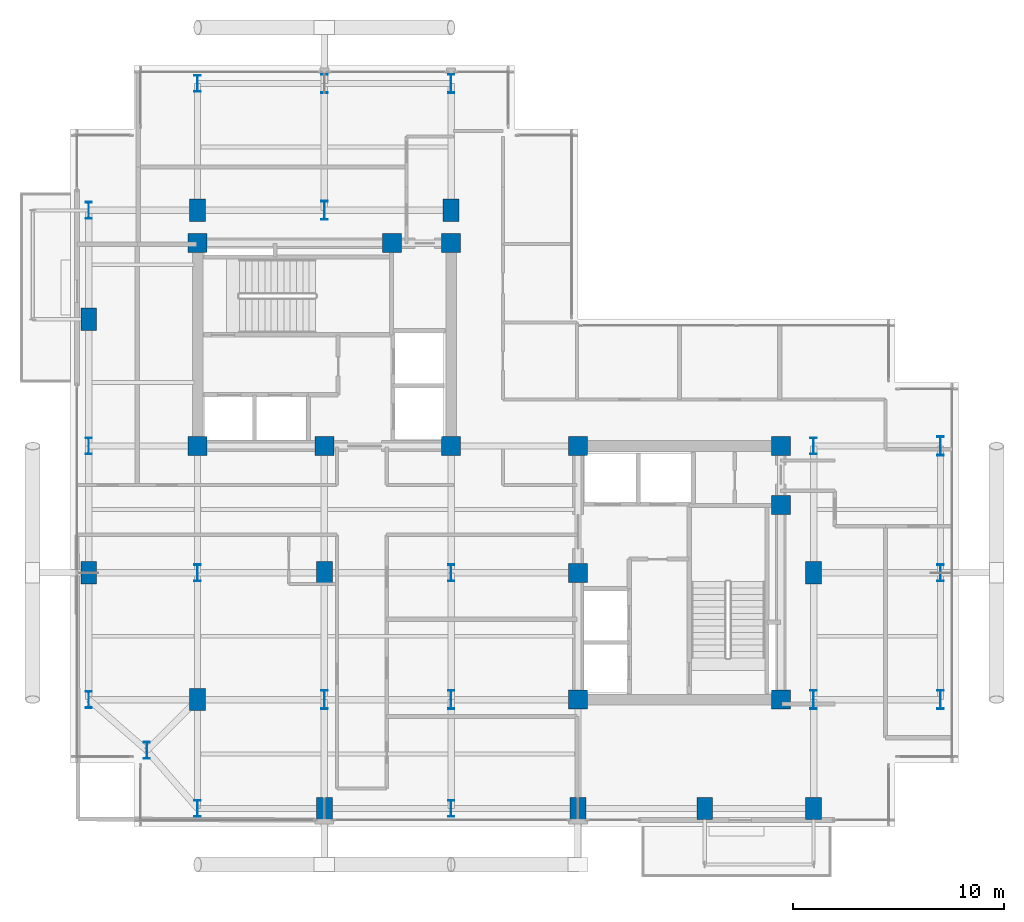
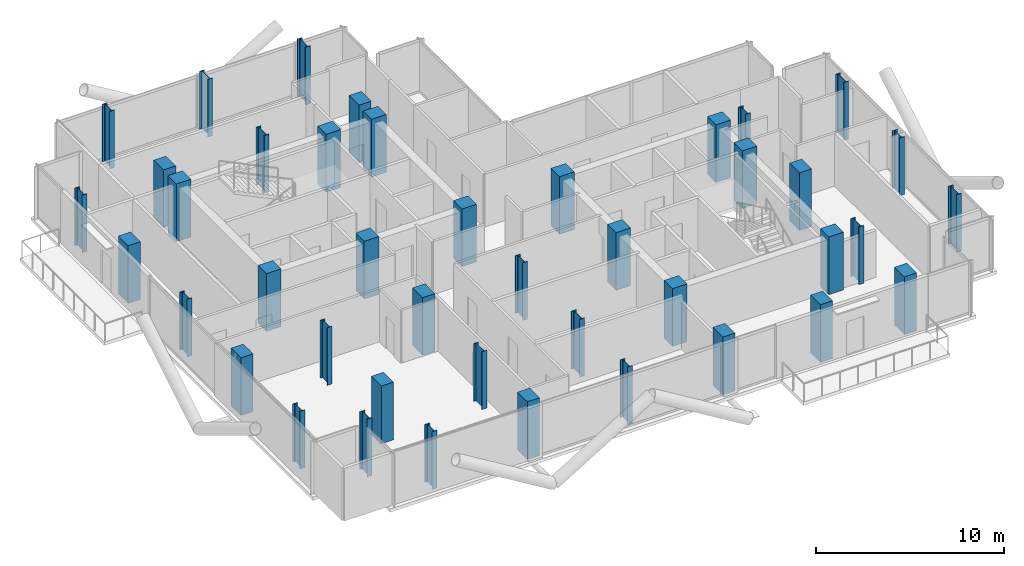
# One storey, part 1 of 25: 42 columns.
"""IFC4 building model written with IfcOpenShell, lengths in metres."""

from ifc_helpers import new_model, si_unit, direction, frame, origin, origin_2d, place, context, subcontext, project, spatial, rectangle, i_section, extrude, material, material_profile, profile_set, type_object, element, save


model = new_model("IFC4")

# Units and contexts
model_context = context("Model", 3, precision=1e-05, world=origin(), true_north=direction((0.0, 1.0)))
body_context = subcontext(model_context, "Body", "Model", "MODEL_VIEW")
ifc_project = project(units=[si_unit("LENGTHUNIT", "METRE"), si_unit("AREAUNIT", "SQUARE_METRE"), si_unit("VOLUMEUNIT", "CUBIC_METRE"), si_unit("PLANEANGLEUNIT", "RADIAN"), si_unit("MASSUNIT", "GRAM", prefix="KILO"), si_unit("THERMODYNAMICTEMPERATUREUNIT", "KELVIN"), si_unit("POWERUNIT", "WATT")], contexts=[model_context])

# Site, building, storey
site_placement = place(None, origin())
site = spatial("IfcSite", under=ifc_project, at=site_placement, CompositionType="ELEMENT")
building_placement = place(site_placement, origin())
building = spatial("IfcBuilding", under=site, at=building_placement, Name="Svarakhadi Broadcast Tower", CompositionType="ELEMENT")
storey_placement = place(building_placement, frame((0.0, 0.0, 231.14990234375)))
storey = spatial("IfcBuildingStorey", under=building, at=storey_placement, Name="L57", CompositionType="ELEMENT", Elevation=231.14990234375)

# Columns
ifc_material_1 = material(Name="Concrete C50/60 (IS 456 M60)", Category="concrete")
ifc_material_profile_1 = material_profile(ifc_material_1, rectangle(XDim=0.75, YDim=1.050048828125, at=origin_2d()), Name="RC 750x1050")
ifc_profile_set_1 = profile_set([ifc_material_profile_1], Name="Concrete C50/60 (IS 456 M60)")
column_type_1 = type_object("IfcColumnType", Name="Col_RC750", PredefinedType="COLUMN", material=ifc_profile_set_1)
for number, where, z_axis, x_axis, name in (
    (1, (0.85009765625, 12.0, 0.0), (0.0, 0.0, 1.0), (1.0, 0.0, 0.0), "L57 Column G04"),
    (2, (0.85009765625, 24.0, 0.0), (0.0, 0.0, 1.0), (1.0, 0.0, 0.0), "L57 Column G06"),
    (3, (6.0, 6.0, 0.0), (0.0, 0.0, 1.0), (1.0, 0.0, 0.0), "L57 Column G12"),
    (4, (6.0, 29.14990234375, 0.0), (0.0, 0.0, 1.0), (1.0, 0.0, 0.0), "L57 Column G14"),
    (5, (12.0, 0.85009765625, 0.0), (0.0, 0.0, 1.0), (1.0, 0.0, 0.0), "L57 Column G18"),
    (6, (12.0, 12.0, 0.0), (0.0, 0.0, 1.0), (1.0, 0.0, 0.0), "L57 Column G20"),
    (7, (18.0, 29.14990234375, 0.0), (0.0, 0.0, 1.0), (1.0, 0.0, 0.0), "L57 Column G28"),
    (8, (24.0, 0.85009765625, 0.0), (0.0, 0.0, 1.0), (1.0, 0.0, 0.0), "L57 Column G32"),
    (9, (30.0, 0.85009765625, 0.0), (0.0, 0.0, 1.0), (1.0, 0.0, 0.0), "L57 Column G36"),
    (10, (35.14990234375, 0.85009765625, 0.0), (0.0, 0.0, 1.0), (1.0, 0.0, 0.0), "L57 Column G38"),
    (11, (35.14990234375, 12.0, 0.0), (0.0, 0.0, 1.0), (1.0, 0.0, 0.0), "L57 Column G40"),
):
    element("IfcColumn", number, at=place(storey_placement, frame(where, z_axis=z_axis, x_axis=x_axis)), inside=storey, type_object=column_type_1, Name=name, PredefinedType="COLUMN", context=body_context, shape_type="SweptSolid", body=[
        extrude(rectangle(XDim=0.75, YDim=1.050048828125, at=origin_2d()), origin(), (0.0, 0.0, 1.0), 3.75),
    ])
ifc_material_profile_2 = material_profile(ifc_material_1, rectangle(XDim=0.89990234375, YDim=0.89990234375, at=origin_2d()), Name="RC 900x900")
ifc_profile_set_2 = profile_set([ifc_material_profile_2], Name="Concrete C50/60 (IS 456 M60)")
column_type_2 = type_object("IfcColumnType", Name="Col_RC900", PredefinedType="COLUMN", material=ifc_profile_set_2)
for number, where, z_axis, x_axis, name in (
    (12, (6.0, 18.0, 0.0), (0.0, 0.0, 1.0), (1.0, 0.0, 0.0), "L57 Column CW1"),
    (13, (12.0, 18.0, 0.0), (0.0, 0.0, 1.0), (1.0, 0.0, 0.0), "L57 Column CW2"),
    (14, (18.0, 18.0, 0.0), (0.0, 0.0, 1.0), (1.0, 0.0, 0.0), "L57 Column CW3"),
    (15, (6.0, 27.60009765625, 0.0), (0.0, 0.0, 1.0), (1.0, 0.0, 0.0), "L57 Column CW4"),
    (16, (15.199951171875, 27.60009765625, 0.0), (0.0, 0.0, 1.0), (1.0, 0.0, 0.0), "L57 Column CW5"),
    (17, (18.0, 27.60009765625, 0.0), (0.0, 0.0, 1.0), (1.0, 0.0, 0.0), "L57 Column CW6"),
    (18, (24.0, 6.0, 0.0), (0.0, 0.0, 1.0), (1.0, 0.0, 0.0), "L57 Column CE1"),
    (19, (24.0, 12.0, 0.0), (0.0, 0.0, 1.0), (1.0, 0.0, 0.0), "L57 Column CE2"),
    (20, (24.0, 18.0, 0.0), (0.0, 0.0, 1.0), (1.0, 0.0, 0.0), "L57 Column CE3"),
    (21, (33.60009765625, 6.0, 0.0), (0.0, 0.0, 1.0), (1.0, 0.0, 0.0), "L57 Column CE4"),
    (22, (33.60009765625, 15.199951171875, 0.0), (0.0, 0.0, 1.0), (1.0, 0.0, 0.0), "L57 Column CE5"),
    (23, (33.60009765625, 18.0, 0.0), (0.0, 0.0, 1.0), (1.0, 0.0, 0.0), "L57 Column CE6"),
):
    element("IfcColumn", number, at=place(storey_placement, frame(where, z_axis=z_axis, x_axis=x_axis)), inside=storey, type_object=column_type_2, Name=name, PredefinedType="COLUMN", context=body_context, shape_type="SweptSolid", body=[
        extrude(rectangle(XDim=0.89990234375, YDim=0.89990234375, at=origin_2d()), origin(), (0.0, 0.0, 1.0), 3.75),
    ])
ifc_material_2 = material(Name="Steel S460ML (IS 2062 E450BR)", Category="steel")
ifc_material_profile_3 = material_profile(ifc_material_2, i_section(OverallWidth=0.300048828125, OverallDepth=0.800048828125, WebThickness=0.017578125, FlangeThickness=0.032958984375, FilletRadius=0.030029296875, at=origin_2d()), Name="WPB 800x300x262")
ifc_profile_set_3 = profile_set([ifc_material_profile_3], Name="Steel S460ML (IS 2062 E450BR)")
column_type_3 = type_object("IfcColumnType", Name="Col_WPB800", PredefinedType="COLUMN", material=ifc_profile_set_3)
for number, where, z_axis, x_axis, name in (
    (24, (3.60009765625, 3.60009765625, 0.0), (0.0, 0.0, 1.0), (1.0, 0.0, 0.0), "L57 Column G01"),
    (25, (0.85009765625, 6.0, 0.0), (0.0, 0.0, 1.0), (1.0, 0.0, 0.0), "L57 Column G03"),
    (26, (0.85009765625, 18.0, 0.0), (0.0, 0.0, 1.0), (1.0, 0.0, 0.0), "L57 Column G05"),
    (27, (0.85009765625, 29.14990234375, 0.0), (0.0, 0.0, 1.0), (1.0, 0.0, 0.0), "L57 Column G07"),
    (28, (6.0, 0.85009765625, 0.0), (0.0, 0.0, 1.0), (1.0, 0.0, 0.0), "L57 Column G11"),
    (29, (6.0, 12.0, 0.0), (0.0, 0.0, 1.0), (1.0, 0.0, 0.0), "L57 Column G13"),
    (30, (6.0, 35.14990234375, 0.0), (0.0, 0.0, 1.0), (1.0, 0.0, 0.0), "L57 Column G15"),
    (31, (18.0, 0.85009765625, 0.0), (0.0, 0.0, 1.0), (1.0, 0.0, 0.0), "L57 Column G25"),
    (32, (18.0, 12.0, 0.0), (0.0, 0.0, 1.0), (1.0, 0.0, 0.0), "L57 Column G27"),
    (33, (35.14990234375, 18.0, 0.0), (0.0, 0.0, 1.0), (1.0, 0.0, 0.0), "L57 Column G41"),
    (34, (41.14990234375, 12.0, 0.0), (0.0, 0.0, 1.0), (1.0, 0.0, 0.0), "L57 Column G45"),
):
    element("IfcColumn", number, at=place(storey_placement, frame(where, z_axis=z_axis, x_axis=x_axis)), inside=storey, type_object=column_type_3, Name=name, PredefinedType="COLUMN", context=body_context, shape_type="SweptSolid", body=[
        extrude(i_section(OverallWidth=0.300048828125, OverallDepth=0.800048828125, WebThickness=0.017578125, FlangeThickness=0.032958984375, FilletRadius=0.030029296875, at=origin_2d()), origin(), (0.0, 0.0, 1.0), 3.75),
    ])
ifc_material_profile_4 = material_profile(ifc_material_2, i_section(OverallWidth=0.300048828125, OverallDepth=0.89990234375, WebThickness=0.0185546875, FlangeThickness=0.034912109375, FilletRadius=0.030029296875, at=origin_2d()), Name="WPB 900x300x291")
ifc_profile_set_4 = profile_set([ifc_material_profile_4], Name="Steel S460ML (IS 2062 E450BR)")
column_type_4 = type_object("IfcColumnType", Name="Col_WPB900", PredefinedType="COLUMN", material=ifc_profile_set_4)
for number, where, z_axis, x_axis, name in (
    (35, (12.0, 6.0, 0.0), (0.0, 0.0, 1.0), (1.0, 0.0, 0.0), "L57 Column G19"),
    (36, (12.0, 29.14990234375, 0.0), (0.0, 0.0, 1.0), (1.0, 0.0, 0.0), "L57 Column G21"),
    (37, (12.0, 35.14990234375, 0.0), (0.0, 0.0, 1.0), (1.0, 0.0, 0.0), "L57 Column G22"),
    (38, (18.0, 6.0, 0.0), (0.0, 0.0, 1.0), (1.0, 0.0, 0.0), "L57 Column G26"),
    (39, (18.0, 35.14990234375, 0.0), (0.0, 0.0, 1.0), (1.0, 0.0, 0.0), "L57 Column G29"),
    (40, (35.14990234375, 6.0, 0.0), (0.0, 0.0, 1.0), (1.0, 0.0, 0.0), "L57 Column G39"),
    (41, (41.14990234375, 6.0, 0.0), (0.0, 0.0, 1.0), (1.0, 0.0, 0.0), "L57 Column G44"),
    (42, (41.14990234375, 18.0, 0.0), (0.0, 0.0, 1.0), (1.0, 0.0, 0.0), "L57 Column G46"),
):
    element("IfcColumn", number, at=place(storey_placement, frame(where, z_axis=z_axis, x_axis=x_axis)), inside=storey, type_object=column_type_4, Name=name, PredefinedType="COLUMN", context=body_context, shape_type="SweptSolid", body=[
        extrude(i_section(OverallWidth=0.300048828125, OverallDepth=0.89990234375, WebThickness=0.0185546875, FlangeThickness=0.034912109375, FilletRadius=0.030029296875, at=origin_2d()), origin(), (0.0, 0.0, 1.0), 3.75),
    ])

save(model, "model.ifc")
